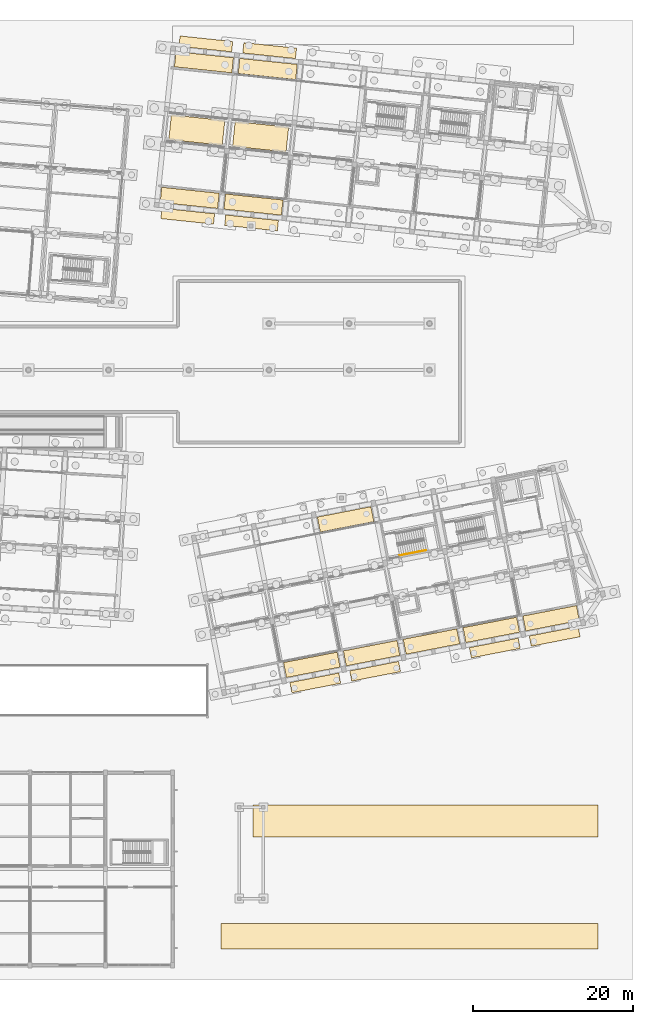
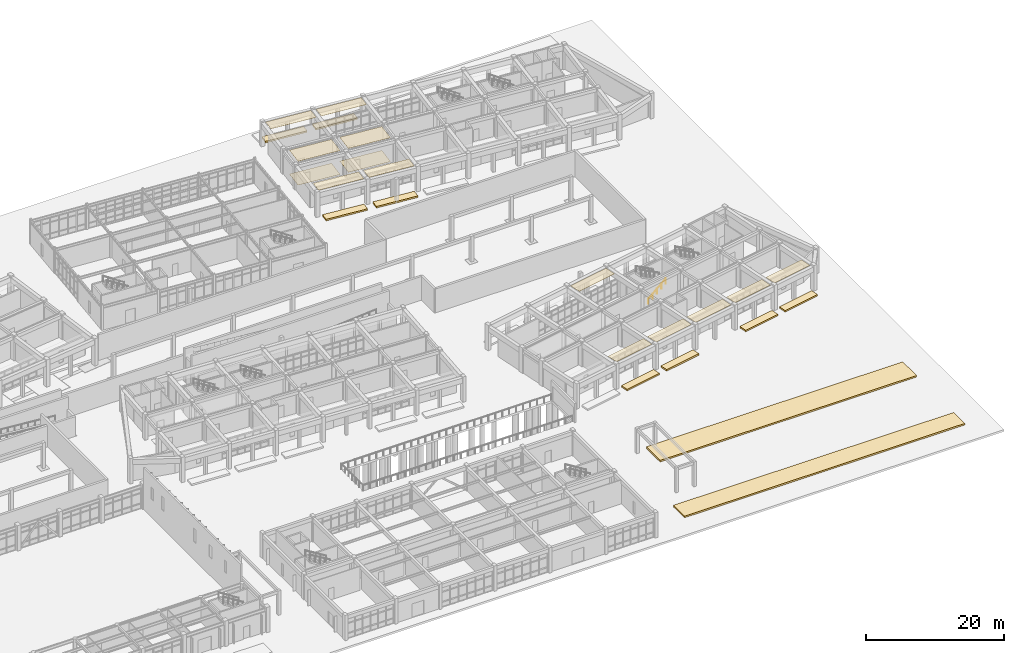
# One storey, part 149 of 154: 24 coverings, 1 railing.
"""IFC4 building model written with IfcOpenShell, lengths in metres."""

from ifc_helpers import new_model, si_unit, direction, frame, origin, origin_2d, place, context, subcontext, project, spatial, polyline, rectangle, circle, outline, extrude, material, layer, layer_set, type_object, element, save


model = new_model("IFC4")

# Units and contexts
model_context = context("Model", 3, precision=1e-05, world=origin(), true_north=direction((0.0, 1.0)))
body_context = subcontext(model_context, "Body", "Model", "MODEL_VIEW")
ifc_project = project(units=[si_unit("LENGTHUNIT", "METRE"), si_unit("AREAUNIT", "SQUARE_METRE"), si_unit("VOLUMEUNIT", "CUBIC_METRE"), si_unit("PLANEANGLEUNIT", "RADIAN"), si_unit("MASSUNIT", "GRAM", prefix="KILO")], contexts=[model_context])

# Site, building, storey
site_placement = place(None, origin())
site = spatial("IfcSite", under=ifc_project, at=site_placement, CompositionType="ELEMENT")
building_placement = place(site_placement, origin())
building = spatial("IfcBuilding", under=site, at=building_placement, Name="Kestramere Prow Commons", CompositionType="ELEMENT")
storey_placement = place(building_placement, origin())
storey = spatial("IfcBuildingStorey", under=building, at=storey_placement, Name="L00", CompositionType="ELEMENT", Elevation=0.0)

# Coverings
ifc_material_1 = material(Name="Mineral Fibre Acoustic Ceiling Tile")
ifc_layer_1 = layer(ifc_material_1, 0.02490234375)
ifc_layer_set_1 = layer_set([ifc_layer_1], Name="Mineral Fibre Acoustic Ceiling Tile")
covering_type_1 = type_object("IfcCoveringType", Name="COV-CEIL-ACOUSTIC", PredefinedType="CEILING", material=ifc_layer_set_1)
covering_1_placement = place(storey_placement, frame((0.0, 0.0, 4.22509765625)))
element("IfcCovering", 1, at=covering_1_placement, inside=storey, type_object=covering_type_1, Name="Block B L00 Corridor Acoustic Ceiling 1", PredefinedType="CEILING", context=body_context, shape_type="SweptSolid", body=[
    extrude(outline(polyline([(111.5087890625, 102.936767578125), (118.172119140625, 102.236572265625), (118.49609375, 105.319580078125), (111.832763671875, 106.019775390625), (111.5087890625, 102.936767578125)])), origin(), (0.0, 0.0, 1.0), 0.02490234375),
])
covering_2_placement = place(storey_placement, frame((0.0, 0.0, 4.22509765625)))
element("IfcCovering", 2, at=covering_2_placement, inside=storey, type_object=covering_type_1, Name="Block B L00 Corridor Acoustic Ceiling 2", PredefinedType="CEILING", context=body_context, shape_type="SweptSolid", body=[
    extrude(outline(polyline([(119.465087890625, 102.1005859375), (126.128173828125, 101.400390625), (126.452392578125, 104.4833984375), (119.7890625, 105.18359375), (119.465087890625, 102.1005859375)])), origin(), (0.0, 0.0, 1.0), 0.02490234375),
])
ifc_material_2 = material(Name="Honed Cementitious Terrazzo Tile")
ifc_layer_2 = layer(ifc_material_2, 0.02001953125)
ifc_layer_set_2 = layer_set([ifc_layer_2], Name="Honed Cementitious Terrazzo Tile")
covering_type_2 = type_object("IfcCoveringType", Name="COV-FLOOR-TERRAZZO", PredefinedType="FLOORING", material=ifc_layer_set_2)
covering_3_placement = place(storey_placement, origin())
element("IfcCovering", 3, at=covering_3_placement, inside=storey, type_object=covering_type_2, Name="Block B L00 Corridor Terrazzo Flooring 1", PredefinedType="FLOORING", context=body_context, shape_type="SweptSolid", body=[
    extrude(outline(polyline([(111.5087890625, 102.936767578125), (118.172119140625, 102.236572265625), (118.49609375, 105.319580078125), (111.832763671875, 106.019775390625), (111.5087890625, 102.936767578125)])), origin(), (0.0, 0.0, 1.0), 0.02001953125),
])
covering_4_placement = place(storey_placement, origin())
element("IfcCovering", 4, at=covering_4_placement, inside=storey, type_object=covering_type_2, Name="Block B L00 Corridor Terrazzo Flooring 2", PredefinedType="FLOORING", context=body_context, shape_type="SweptSolid", body=[
    extrude(outline(polyline([(119.465087890625, 102.1005859375), (126.128173828125, 101.400390625), (126.452392578125, 104.4833984375), (119.7890625, 105.18359375), (119.465087890625, 102.1005859375)])), origin(), (0.0, 0.0, 1.0), 0.02001953125),
])
ifc_material_3 = material(Name="Planted Tropical Rain-Garden Soil and Foliage")
ifc_layer_3 = layer(ifc_material_3, 0.280029296875)
ifc_layer_set_3 = layer_set([ifc_layer_3], Name="Planted Tropical Rain-Garden Soil and Foliage")
covering_type_3 = type_object("IfcCoveringType", Name="COV-PLANT-STRIP", PredefinedType="USERDEFINED", material=ifc_layer_set_3)
covering_5_placement = place(storey_placement, origin())
element("IfcCovering", 5, at=covering_5_placement, inside=storey, type_object=covering_type_3, Name="Street Setback Planted Landscape Strip PLST-B-S-0", ObjectType="PLANTED STRIP", PredefinedType="USERDEFINED", context=body_context, shape_type="SweptSolid", body=[
    extrude(outline(polyline([(110.65966796875, 94.378662109375), (117.223388671875, 93.68896484375), (117.08740234375, 92.39599609375), (110.523681640625, 93.0859375), (110.65966796875, 94.378662109375)])), origin(), (0.0, 0.0, 1.0), 0.280029296875),
])
covering_6_placement = place(storey_placement, origin())
element("IfcCovering", 6, at=covering_6_placement, inside=storey, type_object=covering_type_3, Name="Street Setback Planted Landscape Strip PLST-B-S-1", ObjectType="PLANTED STRIP", PredefinedType="USERDEFINED", context=body_context, shape_type="SweptSolid", body=[
    extrude(outline(polyline([(118.61572265625, 93.54248046875), (125.1796875, 92.8525390625), (125.043701171875, 91.559814453125), (118.47998046875, 92.24951171875), (118.61572265625, 93.54248046875)])), origin(), (0.0, 0.0, 1.0), 0.280029296875),
])
covering_7_placement = place(storey_placement, origin())
element("IfcCovering", 7, at=covering_7_placement, inside=storey, type_object=covering_type_3, Name="Street Setback Planted Landscape Strip PLST-B-N-0", ObjectType="PLANTED STRIP", PredefinedType="USERDEFINED", context=body_context, shape_type="SweptSolid", body=[
    extrude(outline(polyline([(112.91748046875, 115.8603515625), (119.481201171875, 115.17041015625), (119.345458984375, 113.877685546875), (112.781494140625, 114.5673828125), (112.91748046875, 115.8603515625)])), origin(), (0.0, 0.0, 1.0), 0.280029296875),
])
covering_8_placement = place(storey_placement, origin())
element("IfcCovering", 8, at=covering_8_placement, inside=storey, type_object=covering_type_3, Name="Street Setback Planted Landscape Strip PLST-B-N-1", ObjectType="PLANTED STRIP", PredefinedType="USERDEFINED", context=body_context, shape_type="SweptSolid", body=[
    extrude(outline(polyline([(120.87353515625, 115.024169921875), (127.4375, 114.334228515625), (127.301513671875, 113.04150390625), (120.73779296875, 113.731201171875), (120.87353515625, 115.024169921875)])), origin(), (0.0, 0.0, 1.0), 0.280029296875),
])
covering_9_placement = place(storey_placement, origin())
element("IfcCovering", 9, at=covering_9_placement, inside=storey, type_object=covering_type_3, Name="Street Setback Planted Landscape Strip PLST-D-S-1", ObjectType="PLANTED STRIP", PredefinedType="USERDEFINED", context=body_context, shape_type="SweptSolid", body=[
    extrude(outline(polyline([(126.6142578125, 35.239990234375), (132.700439453125, 36.423095703125), (132.948486328125, 35.14697265625), (126.8623046875, 33.964111328125), (126.6142578125, 35.239990234375)])), origin(), (0.0, 0.0, 1.0), 0.280029296875),
])
covering_10_placement = place(storey_placement, origin())
element("IfcCovering", 10, at=covering_10_placement, inside=storey, type_object=covering_type_3, Name="Street Setback Planted Landscape Strip PLST-D-S-2", ObjectType="PLANTED STRIP", PredefinedType="USERDEFINED", context=body_context, shape_type="SweptSolid", body=[
    extrude(outline(polyline([(134.07470703125, 36.690185546875), (140.16064453125, 37.873291015625), (140.40869140625, 36.59716796875), (134.32275390625, 35.414306640625), (134.07470703125, 36.690185546875)])), origin(), (0.0, 0.0, 1.0), 0.280029296875),
])
covering_11_placement = place(storey_placement, origin())
element("IfcCovering", 11, at=covering_11_placement, inside=storey, type_object=covering_type_3, Name="Street Setback Planted Landscape Strip PLST-D-S-4", ObjectType="PLANTED STRIP", PredefinedType="USERDEFINED", context=body_context, shape_type="SweptSolid", body=[
    extrude(outline(polyline([(148.995361328125, 39.590576171875), (155.08154296875, 40.773681640625), (155.32958984375, 39.49755859375), (149.243408203125, 38.314453125), (148.995361328125, 39.590576171875)])), origin(), (0.0, 0.0, 1.0), 0.280029296875),
])
covering_12_placement = place(storey_placement, origin())
element("IfcCovering", 12, at=covering_12_placement, inside=storey, type_object=covering_type_3, Name="Street Setback Planted Landscape Strip PLST-D-S-5", ObjectType="PLANTED STRIP", PredefinedType="USERDEFINED", context=body_context, shape_type="SweptSolid", body=[
    extrude(outline(polyline([(156.455810546875, 41.040771484375), (162.541748046875, 42.223876953125), (162.789794921875, 40.947509765625), (156.703857421875, 39.7646484375), (156.455810546875, 41.040771484375)])), origin(), (0.0, 0.0, 1.0), 0.280029296875),
])
covering_13_placement = place(storey_placement, origin())
element("IfcCovering", 13, at=covering_13_placement, inside=storey, type_object=covering_type_3, Name="Street Setback Planted Landscape Strip PLST-ST-SE1", ObjectType="PLANTED STRIP", PredefinedType="USERDEFINED", context=body_context, shape_type="SweptSolid", body=[
    extrude(outline(polyline([(118.0, 2.0), (118.0, 5.199951171875), (165.0, 5.199951171875), (165.0, 2.0), (118.0, 2.0)])), origin(), (0.0, 0.0, 1.0), 0.280029296875),
])
covering_14_placement = place(storey_placement, origin())
element("IfcCovering", 14, at=covering_14_placement, inside=storey, type_object=covering_type_3, Name="Street Setback Planted Landscape Strip PLST-ST-SE2", ObjectType="PLANTED STRIP", PredefinedType="USERDEFINED", context=body_context, shape_type="SweptSolid", body=[
    extrude(outline(polyline([(122.0, 16.0), (122.0, 20.0), (165.0, 20.0), (165.0, 16.0), (122.0, 16.0)])), origin(), (0.0, 0.0, 1.0), 0.280029296875),
])
ifc_material_4 = material(Name="Perforated Aluminium Colonnade Soffit Cladding", Category="aluminium")
ifc_layer_4 = layer(ifc_material_4, 0.030029296875)
ifc_layer_set_4 = layer_set([ifc_layer_4], Name="Perforated Aluminium Colonnade Soffit Cladding")
covering_type_4 = type_object("IfcCoveringType", Name="COV-SOFFIT-ALU", PredefinedType="CLADDING", material=ifc_layer_set_4)
for number, where, z_axis, x_axis, name in (
    (15, (114.114013671875, 95.6748046875, 4.22021484375), (0.0, 0.0, 1.0), (0.994521895368, -0.104528463268, 0.0), "Block B South Colonnade Soffit Panel 1"),
    (16, (115.890869140625, 112.58154296875, 4.22021484375), (0.0, 0.0, 1.0), (0.994521895368, -0.104528463268, 0.0), "Block B North Colonnade Soffit Panel 1"),
    (17, (122.070068359375, 94.838623046875, 4.22021484375), (0.0, 0.0, 1.0), (0.994521895368, -0.104528463268, 0.0), "Block B South Colonnade Soffit Panel 2"),
    (18, (123.84716796875, 111.745361328125, 4.22021484375), (0.0, 0.0, 1.0), (0.994521895368, -0.104528463268, 0.0), "Block B North Colonnade Soffit Panel 2"),
):
    element("IfcCovering", number, at=place(storey_placement, frame(where, z_axis=z_axis, x_axis=x_axis)), inside=storey, type_object=covering_type_4, Name=name, PredefinedType="CLADDING", context=body_context, shape_type="SweptSolid", body=[
        extrude(rectangle(XDim=7.199951171875, YDim=1.89990234375, at=origin_2d()), origin(), (0.0, 0.0, 1.0), 0.030029296875),
    ])
for number, where, z_axis, x_axis, name in (
    (19, (129.342529296875, 37.451416015625, 4.22021484375), (0.0, 0.0, 1.0), (0.981627183448, 0.190808995377, 0.0), "Block D South Colonnade Soffit Panel 2"),
    (20, (136.802978515625, 38.9013671875, 4.22021484375), (0.0, 0.0, 1.0), (0.981627183448, 0.190808995377, 0.0), "Block D South Colonnade Soffit Panel 3"),
    (21, (133.55908203125, 55.589111328125, 4.22021484375), (0.0, 0.0, 1.0), (0.981627183448, 0.190808995377, 0.0), "Block D North Colonnade Soffit Panel 3"),
    (22, (144.26318359375, 40.3515625, 4.22021484375), (0.0, 0.0, 1.0), (0.981627183448, 0.190808995377, 0.0), "Block D South Colonnade Soffit Panel 4"),
    (23, (151.7236328125, 41.8017578125, 4.22021484375), (0.0, 0.0, 1.0), (0.981627183448, 0.190808995377, 0.0), "Block D South Colonnade Soffit Panel 5"),
    (24, (159.18408203125, 43.251953125, 4.22021484375), (0.0, 0.0, 1.0), (0.981627183448, 0.190808995377, 0.0), "Block D South Colonnade Soffit Panel 6"),
):
    element("IfcCovering", number, at=place(storey_placement, frame(where, z_axis=z_axis, x_axis=x_axis)), inside=storey, type_object=covering_type_4, Name=name, PredefinedType="CLADDING", context=body_context, shape_type="SweptSolid", body=[
        extrude(rectangle(XDim=6.800048828125, YDim=1.89990234375, at=origin_2d()), origin(), (0.0, 0.0, 1.0), 0.030029296875),
    ])

# Railing
ifc_material_5 = material(Name="Stainless Steel 304", Category="steel")
railing_type = type_object("IfcRailingType", Name="RL-ST-HR-900", PredefinedType="HANDRAIL", material=ifc_material_5)
railing_placement = place(storey_placement, frame((140.291015625, 51.091064453125, 0.34619140625)))
element("IfcRailing", 25, at=railing_placement, inside=storey, type_object=railing_type, Name="L00 ST-D1 stair handrail 1", PredefinedType="HANDRAIL", context=body_context, shape_type="SweptSolid", body=[
    extrude(circle(Radius=0.02392578125, at=origin_2d()), frame((0.0, 0.0, 0.8759765625), z_axis=(0.834993220045, 0.162301420861, 0.525779964687), x_axis=(-0.190803535931, 0.981628244641, 0.0)), (0.0, 0.0, 1.0), 3.9501953125),
    extrude(circle(Radius=0.02099609375, at=origin_2d()), origin(), (0.0, 0.0, 1.0), 0.851806640625),
    extrude(circle(Radius=0.02099609375, at=origin_2d()), frame((0.82470703125, 0.16015625, 0.519287109375)), (0.0, 0.0, 1.0), 0.851806640625),
    extrude(circle(Radius=0.02099609375, at=origin_2d()), frame((1.649169921875, 0.320556640625, 1.03857421875)), (0.0, 0.0, 1.0), 0.851806640625),
    extrude(circle(Radius=0.02099609375, at=origin_2d()), frame((2.4736328125, 0.48095703125, 1.5576171875)), (0.0, 0.0, 1.0), 0.851806640625),
    extrude(circle(Radius=0.02099609375, at=origin_2d()), frame((3.29833984375, 0.64111328125, 2.076904296875)), (0.0, 0.0, 1.0), 0.851806640625),
])

save(model, "model.ifc")
